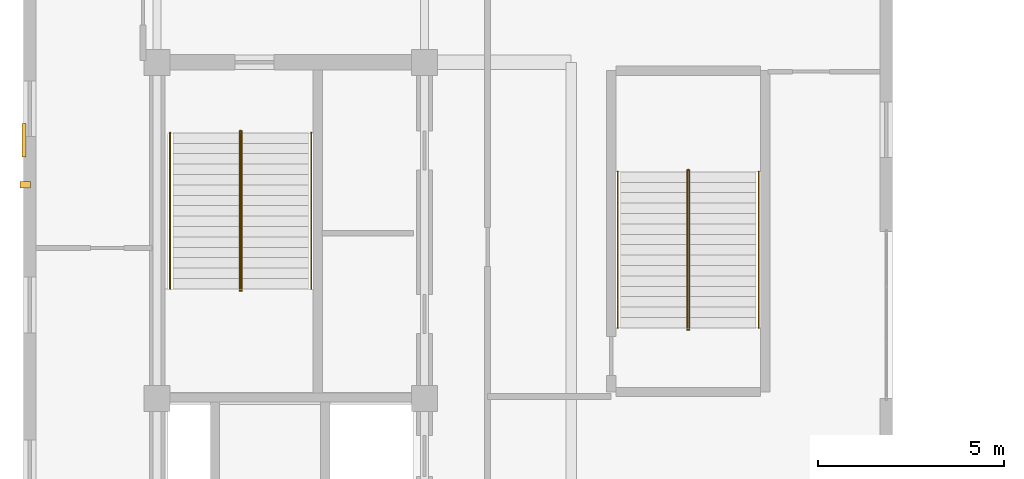
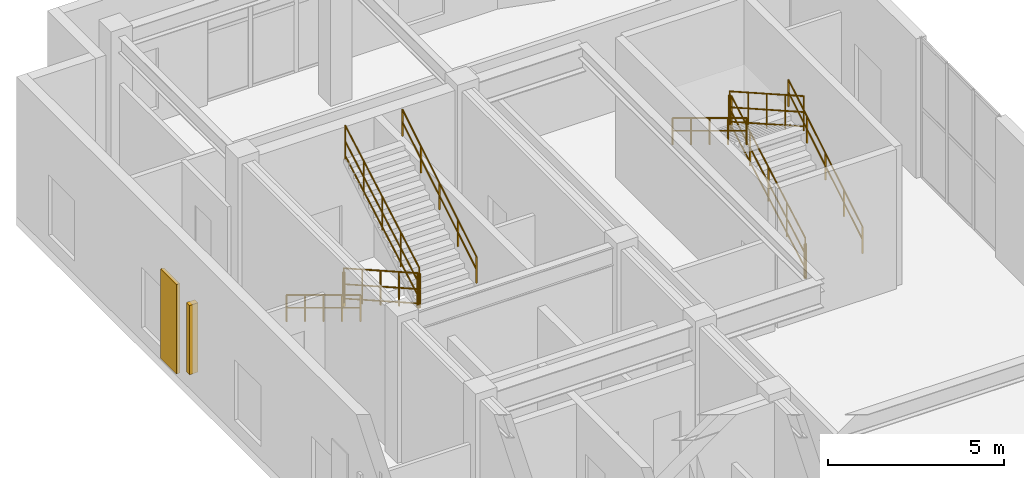
# One storey, part 10 of 10: 12 railings, 1 covering, 1 shading device.
"""IFC4 building model written with IfcOpenShell, lengths in metres."""

from ifc_helpers import new_model, entity, si_unit, converted_unit, direction, frame, origin_with_axes, origin_2d_with_axis, place, context, subcontext, project, spatial, rectangle, circle, extrude, material, layer, layer_set, type_object, element, save


model = new_model("IFC4")

# Units and contexts
model_context = context("Model", 3, precision=1e-05, world=origin_with_axes(), true_north=direction((0.0, 1.0)))
body_context = subcontext(model_context, "Body", "Model", "MODEL_VIEW")
ifc_project = project(units=[si_unit("LENGTHUNIT", "METRE"), si_unit("AREAUNIT", "SQUARE_METRE"), si_unit("VOLUMEUNIT", "CUBIC_METRE"), converted_unit("PLANEANGLEUNIT", "DEGREE", entity("IfcPlaneAngleMeasure", 0.017453292519943295), si_unit("PLANEANGLEUNIT", "RADIAN"), dimensions=[0, 0, 0, 0, 0, 0, 0]), si_unit("MASSUNIT", "GRAM", prefix="KILO"), si_unit("THERMODYNAMICTEMPERATUREUNIT", "KELVIN")], contexts=[model_context])

# Site, building, storey
site_placement = place(None, origin_with_axes())
site = spatial("IfcSite", under=ifc_project, at=site_placement, CompositionType="ELEMENT")
building_placement = place(site_placement, origin_with_axes())
building = spatial("IfcBuilding", under=site, at=building_placement, Name="Varnlund Millrace Tower", CompositionType="ELEMENT")
storey_placement = place(building_placement, frame((0.0, 0.0, 303.6), z_axis=(0.0, 0.0, 1.0), x_axis=(1.0, 0.0, 0.0)))
storey = spatial("IfcBuildingStorey", under=building, at=storey_placement, Name="L75", CompositionType="ELEMENT", Elevation=303.6)

# Covering
ifc_material_1 = material(Name="Precast concrete C50/60", Category="concrete")
ifc_layer = layer(ifc_material_1, 0.11, Name="Precast concrete C50/60")
ifc_layer_set = layer_set([ifc_layer], Name="Precast concrete C50/60")
covering_type = type_object("IfcCoveringType", Name="Type-Cladding-KasotaPier-110", PredefinedType="CLADDING", material=ifc_layer_set)
covering_placement = place(storey_placement, frame((7.82, 35.7, 0.1), z_axis=(0.0, 0.0, 1.0), x_axis=(1.0, 0.0, 0.0)))
element("IfcCovering", 1, at=covering_placement, inside=storey, type_object=covering_type, Name="Type-Cladding-KasotaPier-110", PredefinedType="CLADDING", context=body_context, shape_type="SweptSolid", body=[
    extrude(rectangle(XDim=0.11, YDim=0.9, at=origin_2d_with_axis()), origin_with_axes(), (0.0, 0.0, 1.0), 3.1),
])

# Shading device
ifc_material_2 = material(Name="Architectural bronze fluted spandrel fin", Category="aluminium")
shading_device_type = type_object("IfcShadingDeviceType", Name="Type-Shade-ArtDecoFin", PredefinedType="USERDEFINED", material=ifc_material_2)
shading_device_placement = place(storey_placement, frame((7.85, 34.5, 0.6), z_axis=(0.0, 0.0, 1.0), x_axis=(1.0, 0.0, 0.0)))
element("IfcShadingDevice", 2, at=shading_device_placement, inside=storey, type_object=shading_device_type, Name="Type-Shade-ArtDecoFin", ObjectType="FIN", PredefinedType="USERDEFINED", context=body_context, shape_type="SweptSolid", body=[
    extrude(rectangle(XDim=0.28, YDim=0.18, at=origin_2d_with_axis()), origin_with_axes(), (0.0, 0.0, 1.0), 2.4),
])

# Railings
ifc_material_3 = material(Name="Painted steel stair well balustrade guard", Category="steel")
railing_type_1 = type_object("IfcRailingType", Name="Type-StairGuard-1150", PredefinedType="GUARDRAIL", material=ifc_material_3)
railing_1_placement = place(storey_placement, frame((0.0, 0.0, -303.6), z_axis=(0.0, 0.0, 1.0), x_axis=(1.0, 0.0, 0.0)))
element("IfcRailing", 3, at=railing_1_placement, inside=storey, type_object=railing_type_1, Name="Type-StairGuard-1150", PredefinedType="GUARDRAIL", context=body_context, shape_type="SweptSolid", body=[
    extrude(circle(Radius=0.024, at=origin_2d_with_axis()), frame((13.625, 35.9, 304.92), z_axis=(0.0, -0.870022, 0.493013), x_axis=(1.0, 0.0, 0.0)), (0.0, 0.0, 1.0), 4.827463),
    extrude(circle(Radius=0.024, at=origin_2d_with_axis()), frame((13.625, 35.9, 303.87), z_axis=(0.0, -0.870022, 0.493013), x_axis=(1.0, 0.0, 0.0)), (0.0, 0.0, 1.0), 4.827463),
    extrude(circle(Radius=0.024, at=origin_2d_with_axis()), frame((13.625, 35.9, 304.368), z_axis=(0.0, -0.870022, 0.493013), x_axis=(1.0, 0.0, 0.0)), (0.0, 0.0, 1.0), 4.827463),
    extrude(rectangle(XDim=0.04, YDim=0.04, at=origin_2d_with_axis()), frame((13.625, 35.9, 303.73), z_axis=(0.0, 0.0, 1.0), x_axis=(1.0, 0.0, 0.0)), (0.0, 0.0, 1.0), 1.19),
    extrude(rectangle(XDim=0.04, YDim=0.04, at=origin_2d_with_axis()), frame((13.625, 34.85, 304.325), z_axis=(0.0, 0.0, 1.0), x_axis=(1.0, 0.0, 0.0)), (0.0, 0.0, 1.0), 1.19),
    extrude(rectangle(XDim=0.04, YDim=0.04, at=origin_2d_with_axis()), frame((13.625, 33.8, 304.92), z_axis=(0.0, 0.0, 1.0), x_axis=(1.0, 0.0, 0.0)), (0.0, 0.0, 1.0), 1.19),
    extrude(rectangle(XDim=0.04, YDim=0.04, at=origin_2d_with_axis()), frame((13.625, 32.75, 305.515), z_axis=(0.0, 0.0, 1.0), x_axis=(1.0, 0.0, 0.0)), (0.0, 0.0, 1.0), 1.19),
    extrude(rectangle(XDim=0.04, YDim=0.04, at=origin_2d_with_axis()), frame((13.625, 31.7, 306.11), z_axis=(0.0, 0.0, 1.0), x_axis=(1.0, 0.0, 0.0)), (0.0, 0.0, 1.0), 1.19),
])
railing_2_placement = place(storey_placement, frame((0.0, 0.0, -303.6), z_axis=(0.0, 0.0, 1.0), x_axis=(1.0, 0.0, 0.0)))
element("IfcRailing", 4, at=railing_2_placement, inside=storey, type_object=railing_type_1, Name="Type-StairGuard-1150", PredefinedType="GUARDRAIL", context=body_context, shape_type="SweptSolid", body=[
    extrude(circle(Radius=0.024, at=origin_2d_with_axis()), frame((13.675, 31.65, 307.3), z_axis=(-1.0, 0.0, 0.0), x_axis=(0.0, -1.0, 0.0)), (0.0, 0.0, 1.0), 0.05),
    extrude(circle(Radius=0.024, at=origin_2d_with_axis()), frame((13.675, 31.65, 306.25), z_axis=(-1.0, 0.0, 0.0), x_axis=(0.0, -1.0, 0.0)), (0.0, 0.0, 1.0), 0.05),
    extrude(circle(Radius=0.024, at=origin_2d_with_axis()), frame((13.675, 31.65, 306.748), z_axis=(-1.0, 0.0, 0.0), x_axis=(0.0, -1.0, 0.0)), (0.0, 0.0, 1.0), 0.05),
    extrude(rectangle(XDim=0.04, YDim=0.04, at=origin_2d_with_axis()), frame((13.675, 31.65, 306.11), z_axis=(0.0, 0.0, 1.0), x_axis=(1.0, 0.0, 0.0)), (0.0, 0.0, 1.0), 1.19),
    extrude(rectangle(XDim=0.04, YDim=0.04, at=origin_2d_with_axis()), frame((13.625, 31.65, 306.11), z_axis=(0.0, 0.0, 1.0), x_axis=(1.0, 0.0, 0.0)), (0.0, 0.0, 1.0), 1.19),
])
railing_3_placement = place(storey_placement, frame((0.0, 0.0, -303.6), z_axis=(0.0, 0.0, 1.0), x_axis=(1.0, 0.0, 0.0)))
element("IfcRailing", 5, at=railing_3_placement, inside=storey, type_object=railing_type_1, Name="Type-StairGuard-1150", PredefinedType="GUARDRAIL", context=body_context, shape_type="SweptSolid", body=[
    extrude(circle(Radius=0.024, at=origin_2d_with_axis()), frame((13.675, 31.7, 307.47), z_axis=(0.0, 0.870022, 0.493013), x_axis=(-1.0, 0.0, 0.0)), (0.0, 0.0, 1.0), 4.827463),
    extrude(circle(Radius=0.024, at=origin_2d_with_axis()), frame((13.675, 31.7, 306.42), z_axis=(0.0, 0.870022, 0.493013), x_axis=(-1.0, 0.0, 0.0)), (0.0, 0.0, 1.0), 4.827463),
    extrude(circle(Radius=0.024, at=origin_2d_with_axis()), frame((13.675, 31.7, 306.918), z_axis=(0.0, 0.870022, 0.493013), x_axis=(-1.0, 0.0, 0.0)), (0.0, 0.0, 1.0), 4.827463),
    extrude(rectangle(XDim=0.04, YDim=0.04, at=origin_2d_with_axis()), frame((13.675, 31.7, 306.28), z_axis=(0.0, 0.0, 1.0), x_axis=(1.0, 0.0, 0.0)), (0.0, 0.0, 1.0), 1.19),
    extrude(rectangle(XDim=0.04, YDim=0.04, at=origin_2d_with_axis()), frame((13.675, 32.75, 306.875), z_axis=(0.0, 0.0, 1.0), x_axis=(1.0, 0.0, 0.0)), (0.0, 0.0, 1.0), 1.19),
    extrude(rectangle(XDim=0.04, YDim=0.04, at=origin_2d_with_axis()), frame((13.675, 33.8, 307.47), z_axis=(0.0, 0.0, 1.0), x_axis=(1.0, 0.0, 0.0)), (0.0, 0.0, 1.0), 1.19),
    extrude(rectangle(XDim=0.04, YDim=0.04, at=origin_2d_with_axis()), frame((13.675, 34.85, 308.065), z_axis=(0.0, 0.0, 1.0), x_axis=(1.0, 0.0, 0.0)), (0.0, 0.0, 1.0), 1.19),
    extrude(rectangle(XDim=0.04, YDim=0.04, at=origin_2d_with_axis()), frame((13.675, 35.9, 308.66), z_axis=(0.0, 0.0, 1.0), x_axis=(1.0, 0.0, 0.0)), (0.0, 0.0, 1.0), 1.19),
])
railing_4_placement = place(storey_placement, frame((0.0, 0.0, -303.6), z_axis=(0.0, 0.0, 1.0), x_axis=(1.0, 0.0, 0.0)))
element("IfcRailing", 6, at=railing_4_placement, inside=storey, type_object=railing_type_1, Name="Type-StairGuard-1150", PredefinedType="GUARDRAIL", context=body_context, shape_type="SweptSolid", body=[
    extrude(circle(Radius=0.024, at=origin_2d_with_axis()), frame((13.675, 35.95, 304.75), z_axis=(-1.0, 0.0, 0.0), x_axis=(0.0, -1.0, 0.0)), (0.0, 0.0, 1.0), 0.05),
    extrude(circle(Radius=0.024, at=origin_2d_with_axis()), frame((13.675, 35.95, 303.7), z_axis=(-1.0, 0.0, 0.0), x_axis=(0.0, -1.0, 0.0)), (0.0, 0.0, 1.0), 0.05),
    extrude(circle(Radius=0.024, at=origin_2d_with_axis()), frame((13.675, 35.95, 304.198), z_axis=(-1.0, 0.0, 0.0), x_axis=(0.0, -1.0, 0.0)), (0.0, 0.0, 1.0), 0.05),
    extrude(rectangle(XDim=0.04, YDim=0.04, at=origin_2d_with_axis()), frame((13.675, 35.95, 303.56), z_axis=(0.0, 0.0, 1.0), x_axis=(1.0, 0.0, 0.0)), (0.0, 0.0, 1.0), 1.19),
    extrude(rectangle(XDim=0.04, YDim=0.04, at=origin_2d_with_axis()), frame((13.625, 35.95, 303.56), z_axis=(0.0, 0.0, 1.0), x_axis=(1.0, 0.0, 0.0)), (0.0, 0.0, 1.0), 1.19),
])
railing_5_placement = place(storey_placement, frame((0.0, 0.0, -303.6), z_axis=(0.0, 0.0, 1.0), x_axis=(1.0, 0.0, 0.0)))
element("IfcRailing", 7, at=railing_5_placement, inside=storey, type_object=railing_type_1, Name="Type-StairGuard-1150", PredefinedType="GUARDRAIL", context=body_context, shape_type="SweptSolid", body=[
    extrude(circle(Radius=0.024, at=origin_2d_with_axis()), frame((25.725, 30.65, 304.92), z_axis=(0.0, 0.870022, 0.493013), x_axis=(-1.0, 0.0, 0.0)), (0.0, 0.0, 1.0), 4.827463),
    extrude(circle(Radius=0.024, at=origin_2d_with_axis()), frame((25.725, 30.65, 303.87), z_axis=(0.0, 0.870022, 0.493013), x_axis=(-1.0, 0.0, 0.0)), (0.0, 0.0, 1.0), 4.827463),
    extrude(circle(Radius=0.024, at=origin_2d_with_axis()), frame((25.725, 30.65, 304.368), z_axis=(0.0, 0.870022, 0.493013), x_axis=(-1.0, 0.0, 0.0)), (0.0, 0.0, 1.0), 4.827463),
    extrude(rectangle(XDim=0.04, YDim=0.04, at=origin_2d_with_axis()), frame((25.725, 30.65, 303.73), z_axis=(0.0, 0.0, 1.0), x_axis=(1.0, 0.0, 0.0)), (0.0, 0.0, 1.0), 1.19),
    extrude(rectangle(XDim=0.04, YDim=0.04, at=origin_2d_with_axis()), frame((25.725, 31.7, 304.325), z_axis=(0.0, 0.0, 1.0), x_axis=(1.0, 0.0, 0.0)), (0.0, 0.0, 1.0), 1.19),
    extrude(rectangle(XDim=0.04, YDim=0.04, at=origin_2d_with_axis()), frame((25.725, 32.75, 304.92), z_axis=(0.0, 0.0, 1.0), x_axis=(1.0, 0.0, 0.0)), (0.0, 0.0, 1.0), 1.19),
    extrude(rectangle(XDim=0.04, YDim=0.04, at=origin_2d_with_axis()), frame((25.725, 33.8, 305.515), z_axis=(0.0, 0.0, 1.0), x_axis=(1.0, 0.0, 0.0)), (0.0, 0.0, 1.0), 1.19),
    extrude(rectangle(XDim=0.04, YDim=0.04, at=origin_2d_with_axis()), frame((25.725, 34.85, 306.11), z_axis=(0.0, 0.0, 1.0), x_axis=(1.0, 0.0, 0.0)), (0.0, 0.0, 1.0), 1.19),
])
railing_6_placement = place(storey_placement, frame((0.0, 0.0, -303.6), z_axis=(0.0, 0.0, 1.0), x_axis=(1.0, 0.0, 0.0)))
element("IfcRailing", 8, at=railing_6_placement, inside=storey, type_object=railing_type_1, Name="Type-StairGuard-1150", PredefinedType="GUARDRAIL", context=body_context, shape_type="SweptSolid", body=[
    extrude(circle(Radius=0.024, at=origin_2d_with_axis()), frame((25.675, 34.9, 307.3), z_axis=(1.0, 0.0, 0.0), x_axis=(0.0, 1.0, 0.0)), (0.0, 0.0, 1.0), 0.05),
    extrude(circle(Radius=0.024, at=origin_2d_with_axis()), frame((25.675, 34.9, 306.25), z_axis=(1.0, 0.0, 0.0), x_axis=(0.0, 1.0, 0.0)), (0.0, 0.0, 1.0), 0.05),
    extrude(circle(Radius=0.024, at=origin_2d_with_axis()), frame((25.675, 34.9, 306.748), z_axis=(1.0, 0.0, 0.0), x_axis=(0.0, 1.0, 0.0)), (0.0, 0.0, 1.0), 0.05),
    extrude(rectangle(XDim=0.04, YDim=0.04, at=origin_2d_with_axis()), frame((25.675, 34.9, 306.11), z_axis=(0.0, 0.0, 1.0), x_axis=(1.0, 0.0, 0.0)), (0.0, 0.0, 1.0), 1.19),
    extrude(rectangle(XDim=0.04, YDim=0.04, at=origin_2d_with_axis()), frame((25.725, 34.9, 306.11), z_axis=(0.0, 0.0, 1.0), x_axis=(1.0, 0.0, 0.0)), (0.0, 0.0, 1.0), 1.19),
])
railing_7_placement = place(storey_placement, frame((0.0, 0.0, -303.6), z_axis=(0.0, 0.0, 1.0), x_axis=(1.0, 0.0, 0.0)))
element("IfcRailing", 9, at=railing_7_placement, inside=storey, type_object=railing_type_1, Name="Type-StairGuard-1150", PredefinedType="GUARDRAIL", context=body_context, shape_type="SweptSolid", body=[
    extrude(circle(Radius=0.024, at=origin_2d_with_axis()), frame((25.675, 34.85, 307.47), z_axis=(0.0, -0.870022, 0.493013), x_axis=(1.0, 0.0, 0.0)), (0.0, 0.0, 1.0), 4.827463),
    extrude(circle(Radius=0.024, at=origin_2d_with_axis()), frame((25.675, 34.85, 306.42), z_axis=(0.0, -0.870022, 0.493013), x_axis=(1.0, 0.0, 0.0)), (0.0, 0.0, 1.0), 4.827463),
    extrude(circle(Radius=0.024, at=origin_2d_with_axis()), frame((25.675, 34.85, 306.918), z_axis=(0.0, -0.870022, 0.493013), x_axis=(1.0, 0.0, 0.0)), (0.0, 0.0, 1.0), 4.827463),
    extrude(rectangle(XDim=0.04, YDim=0.04, at=origin_2d_with_axis()), frame((25.675, 34.85, 306.28), z_axis=(0.0, 0.0, 1.0), x_axis=(1.0, 0.0, 0.0)), (0.0, 0.0, 1.0), 1.19),
    extrude(rectangle(XDim=0.04, YDim=0.04, at=origin_2d_with_axis()), frame((25.675, 33.8, 306.875), z_axis=(0.0, 0.0, 1.0), x_axis=(1.0, 0.0, 0.0)), (0.0, 0.0, 1.0), 1.19),
    extrude(rectangle(XDim=0.04, YDim=0.04, at=origin_2d_with_axis()), frame((25.675, 32.75, 307.47), z_axis=(0.0, 0.0, 1.0), x_axis=(1.0, 0.0, 0.0)), (0.0, 0.0, 1.0), 1.19),
    extrude(rectangle(XDim=0.04, YDim=0.04, at=origin_2d_with_axis()), frame((25.675, 31.7, 308.065), z_axis=(0.0, 0.0, 1.0), x_axis=(1.0, 0.0, 0.0)), (0.0, 0.0, 1.0), 1.19),
    extrude(rectangle(XDim=0.04, YDim=0.04, at=origin_2d_with_axis()), frame((25.675, 30.65, 308.66), z_axis=(0.0, 0.0, 1.0), x_axis=(1.0, 0.0, 0.0)), (0.0, 0.0, 1.0), 1.19),
])
railing_8_placement = place(storey_placement, frame((0.0, 0.0, -303.6), z_axis=(0.0, 0.0, 1.0), x_axis=(1.0, 0.0, 0.0)))
element("IfcRailing", 10, at=railing_8_placement, inside=storey, type_object=railing_type_1, Name="Type-StairGuard-1150", PredefinedType="GUARDRAIL", context=body_context, shape_type="SweptSolid", body=[
    extrude(circle(Radius=0.024, at=origin_2d_with_axis()), frame((25.675, 30.6, 304.75), z_axis=(1.0, 0.0, 0.0), x_axis=(0.0, 1.0, 0.0)), (0.0, 0.0, 1.0), 0.05),
    extrude(circle(Radius=0.024, at=origin_2d_with_axis()), frame((25.675, 30.6, 303.7), z_axis=(1.0, 0.0, 0.0), x_axis=(0.0, 1.0, 0.0)), (0.0, 0.0, 1.0), 0.05),
    extrude(circle(Radius=0.024, at=origin_2d_with_axis()), frame((25.675, 30.6, 304.198), z_axis=(1.0, 0.0, 0.0), x_axis=(0.0, 1.0, 0.0)), (0.0, 0.0, 1.0), 0.05),
    extrude(rectangle(XDim=0.04, YDim=0.04, at=origin_2d_with_axis()), frame((25.675, 30.6, 303.56), z_axis=(0.0, 0.0, 1.0), x_axis=(1.0, 0.0, 0.0)), (0.0, 0.0, 1.0), 1.19),
    extrude(rectangle(XDim=0.04, YDim=0.04, at=origin_2d_with_axis()), frame((25.725, 30.6, 303.56), z_axis=(0.0, 0.0, 1.0), x_axis=(1.0, 0.0, 0.0)), (0.0, 0.0, 1.0), 1.19),
])
ifc_material_4 = material(Name="Brushed architectural bronze stair handrail", Category="aluminium")
railing_type_2 = type_object("IfcRailingType", Name="Type-StairHandrail-900", PredefinedType="HANDRAIL", material=ifc_material_4)
railing_9_placement = place(storey_placement, frame((0.0, 0.0, -303.6), z_axis=(0.0, 0.0, 1.0), x_axis=(1.0, 0.0, 0.0)))
element("IfcRailing", 11, at=railing_9_placement, inside=storey, type_object=railing_type_2, Name="Type-StairHandrail-900", PredefinedType="HANDRAIL", context=body_context, shape_type="SweptSolid", body=[
    extrude(circle(Radius=0.024, at=origin_2d_with_axis()), frame((11.75, 35.9, 304.649485), z_axis=(0.0, -0.854788, 0.518978), x_axis=(1.0, 0.0, 0.0)), (0.0, 0.0, 1.0), 4.913502),
    extrude(circle(Radius=0.024, at=origin_2d_with_axis()), frame((11.75, 35.9, 304.209743), z_axis=(0.0, -0.854788, 0.518978), x_axis=(1.0, 0.0, 0.0)), (0.0, 0.0, 1.0), 4.913502),
    extrude(rectangle(XDim=0.04, YDim=0.04, at=origin_2d_with_axis()), frame((11.75, 35.9, 303.73), z_axis=(0.0, 0.0, 1.0), x_axis=(1.0, 0.0, 0.0)), (0.0, 0.0, 1.0), 0.919485),
    extrude(rectangle(XDim=0.04, YDim=0.04, at=origin_2d_with_axis()), frame((11.75, 34.85, 304.3675), z_axis=(0.0, 0.0, 1.0), x_axis=(1.0, 0.0, 0.0)), (0.0, 0.0, 1.0), 0.919485),
    extrude(rectangle(XDim=0.04, YDim=0.04, at=origin_2d_with_axis()), frame((11.75, 33.8, 305.005), z_axis=(0.0, 0.0, 1.0), x_axis=(1.0, 0.0, 0.0)), (0.0, 0.0, 1.0), 0.919485),
    extrude(rectangle(XDim=0.04, YDim=0.04, at=origin_2d_with_axis()), frame((11.75, 32.75, 305.6425), z_axis=(0.0, 0.0, 1.0), x_axis=(1.0, 0.0, 0.0)), (0.0, 0.0, 1.0), 0.919485),
    extrude(rectangle(XDim=0.04, YDim=0.04, at=origin_2d_with_axis()), frame((11.75, 31.7, 306.28), z_axis=(0.0, 0.0, 1.0), x_axis=(1.0, 0.0, 0.0)), (0.0, 0.0, 1.0), 0.919485),
])
railing_10_placement = place(storey_placement, frame((0.0, 0.0, -303.6), z_axis=(0.0, 0.0, 1.0), x_axis=(1.0, 0.0, 0.0)))
element("IfcRailing", 12, at=railing_10_placement, inside=storey, type_object=railing_type_2, Name="Type-StairHandrail-900", PredefinedType="HANDRAIL", context=body_context, shape_type="SweptSolid", body=[
    extrude(circle(Radius=0.024, at=origin_2d_with_axis()), frame((15.55, 31.7, 307.199485), z_axis=(0.0, 0.854788, 0.518978), x_axis=(-1.0, 0.0, 0.0)), (0.0, 0.0, 1.0), 4.913502),
    extrude(circle(Radius=0.024, at=origin_2d_with_axis()), frame((15.55, 31.7, 306.759743), z_axis=(0.0, 0.854788, 0.518978), x_axis=(-1.0, 0.0, 0.0)), (0.0, 0.0, 1.0), 4.913502),
    extrude(rectangle(XDim=0.04, YDim=0.04, at=origin_2d_with_axis()), frame((15.55, 31.7, 306.28), z_axis=(0.0, 0.0, 1.0), x_axis=(1.0, 0.0, 0.0)), (0.0, 0.0, 1.0), 0.919485),
    extrude(rectangle(XDim=0.04, YDim=0.04, at=origin_2d_with_axis()), frame((15.55, 32.75, 306.9175), z_axis=(0.0, 0.0, 1.0), x_axis=(1.0, 0.0, 0.0)), (0.0, 0.0, 1.0), 0.919485),
    extrude(rectangle(XDim=0.04, YDim=0.04, at=origin_2d_with_axis()), frame((15.55, 33.8, 307.555), z_axis=(0.0, 0.0, 1.0), x_axis=(1.0, 0.0, 0.0)), (0.0, 0.0, 1.0), 0.919485),
    extrude(rectangle(XDim=0.04, YDim=0.04, at=origin_2d_with_axis()), frame((15.55, 34.85, 308.1925), z_axis=(0.0, 0.0, 1.0), x_axis=(1.0, 0.0, 0.0)), (0.0, 0.0, 1.0), 0.919485),
    extrude(rectangle(XDim=0.04, YDim=0.04, at=origin_2d_with_axis()), frame((15.55, 35.9, 308.83), z_axis=(0.0, 0.0, 1.0), x_axis=(1.0, 0.0, 0.0)), (0.0, 0.0, 1.0), 0.919485),
])
railing_11_placement = place(storey_placement, frame((0.0, 0.0, -303.6), z_axis=(0.0, 0.0, 1.0), x_axis=(1.0, 0.0, 0.0)))
element("IfcRailing", 13, at=railing_11_placement, inside=storey, type_object=railing_type_2, Name="Type-StairHandrail-900", PredefinedType="HANDRAIL", context=body_context, shape_type="SweptSolid", body=[
    extrude(circle(Radius=0.024, at=origin_2d_with_axis()), frame((27.6, 30.65, 304.649485), z_axis=(0.0, 0.854788, 0.518978), x_axis=(-1.0, 0.0, 0.0)), (0.0, 0.0, 1.0), 4.913502),
    extrude(circle(Radius=0.024, at=origin_2d_with_axis()), frame((27.6, 30.65, 304.209743), z_axis=(0.0, 0.854788, 0.518978), x_axis=(-1.0, 0.0, 0.0)), (0.0, 0.0, 1.0), 4.913502),
    extrude(rectangle(XDim=0.04, YDim=0.04, at=origin_2d_with_axis()), frame((27.6, 30.65, 303.73), z_axis=(0.0, 0.0, 1.0), x_axis=(1.0, 0.0, 0.0)), (0.0, 0.0, 1.0), 0.919485),
    extrude(rectangle(XDim=0.04, YDim=0.04, at=origin_2d_with_axis()), frame((27.6, 31.7, 304.3675), z_axis=(0.0, 0.0, 1.0), x_axis=(1.0, 0.0, 0.0)), (0.0, 0.0, 1.0), 0.919485),
    extrude(rectangle(XDim=0.04, YDim=0.04, at=origin_2d_with_axis()), frame((27.6, 32.75, 305.005), z_axis=(0.0, 0.0, 1.0), x_axis=(1.0, 0.0, 0.0)), (0.0, 0.0, 1.0), 0.919485),
    extrude(rectangle(XDim=0.04, YDim=0.04, at=origin_2d_with_axis()), frame((27.6, 33.8, 305.6425), z_axis=(0.0, 0.0, 1.0), x_axis=(1.0, 0.0, 0.0)), (0.0, 0.0, 1.0), 0.919485),
    extrude(rectangle(XDim=0.04, YDim=0.04, at=origin_2d_with_axis()), frame((27.6, 34.85, 306.28), z_axis=(0.0, 0.0, 1.0), x_axis=(1.0, 0.0, 0.0)), (0.0, 0.0, 1.0), 0.919485),
])
railing_12_placement = place(storey_placement, frame((0.0, 0.0, -303.6), z_axis=(0.0, 0.0, 1.0), x_axis=(1.0, 0.0, 0.0)))
element("IfcRailing", 14, at=railing_12_placement, inside=storey, type_object=railing_type_2, Name="Type-StairHandrail-900", PredefinedType="HANDRAIL", context=body_context, shape_type="SweptSolid", body=[
    extrude(circle(Radius=0.024, at=origin_2d_with_axis()), frame((23.8, 34.85, 307.199485), z_axis=(0.0, -0.854788, 0.518978), x_axis=(1.0, 0.0, 0.0)), (0.0, 0.0, 1.0), 4.913502),
    extrude(circle(Radius=0.024, at=origin_2d_with_axis()), frame((23.8, 34.85, 306.759743), z_axis=(0.0, -0.854788, 0.518978), x_axis=(1.0, 0.0, 0.0)), (0.0, 0.0, 1.0), 4.913502),
    extrude(rectangle(XDim=0.04, YDim=0.04, at=origin_2d_with_axis()), frame((23.8, 34.85, 306.28), z_axis=(0.0, 0.0, 1.0), x_axis=(1.0, 0.0, 0.0)), (0.0, 0.0, 1.0), 0.919485),
    extrude(rectangle(XDim=0.04, YDim=0.04, at=origin_2d_with_axis()), frame((23.8, 33.8, 306.9175), z_axis=(0.0, 0.0, 1.0), x_axis=(1.0, 0.0, 0.0)), (0.0, 0.0, 1.0), 0.919485),
    extrude(rectangle(XDim=0.04, YDim=0.04, at=origin_2d_with_axis()), frame((23.8, 32.75, 307.555), z_axis=(0.0, 0.0, 1.0), x_axis=(1.0, 0.0, 0.0)), (0.0, 0.0, 1.0), 0.919485),
    extrude(rectangle(XDim=0.04, YDim=0.04, at=origin_2d_with_axis()), frame((23.8, 31.7, 308.1925), z_axis=(0.0, 0.0, 1.0), x_axis=(1.0, 0.0, 0.0)), (0.0, 0.0, 1.0), 0.919485),
    extrude(rectangle(XDim=0.04, YDim=0.04, at=origin_2d_with_axis()), frame((23.8, 30.65, 308.83), z_axis=(0.0, 0.0, 1.0), x_axis=(1.0, 0.0, 0.0)), (0.0, 0.0, 1.0), 0.919485),
])

save(model, "model.ifc")
